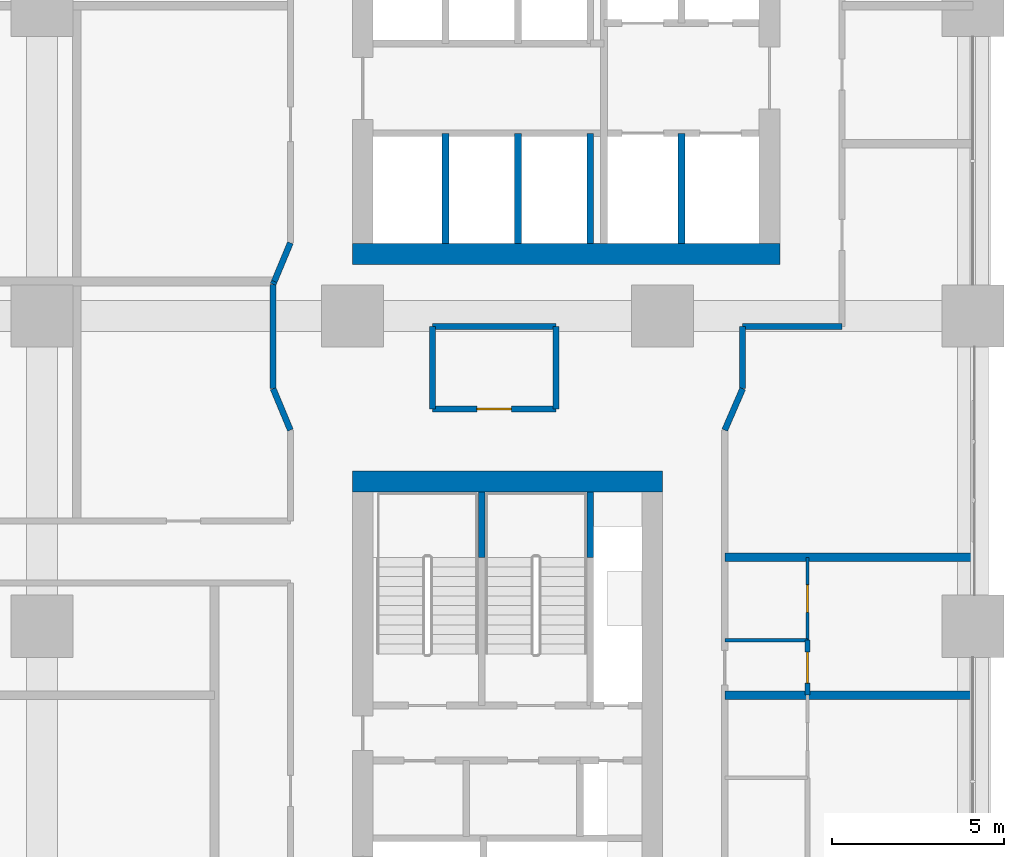
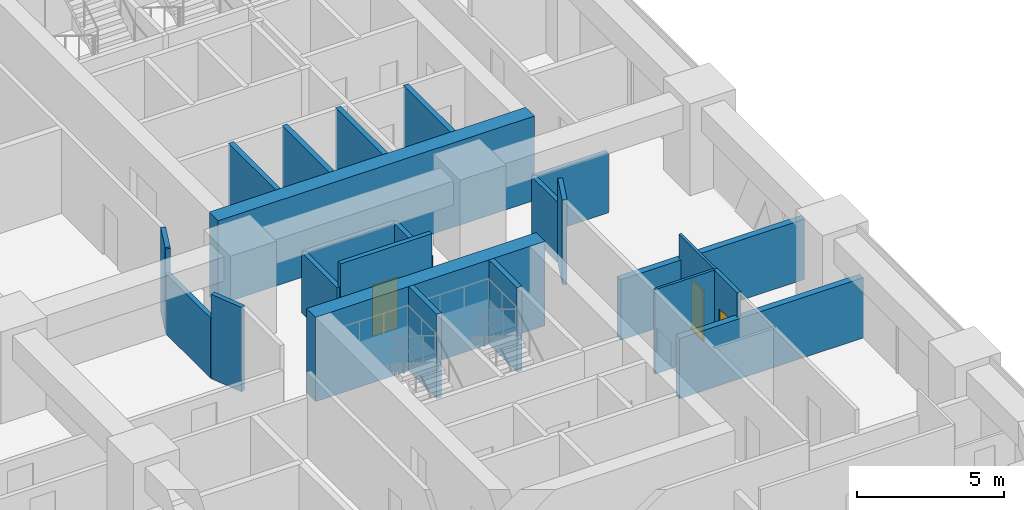
# One storey, part 16 of 23: 24 walls, 3 doors, 3 openings.
"""IFC4 building model written with IfcOpenShell, lengths in metres."""

from ifc_helpers import new_model, si_unit, direction, frame, frame_2d, origin, place, context, subcontext, project, spatial, rectangle, extrude, material, layer, layer_set, type_object, element, fill, save


model = new_model("IFC4")

# Units and contexts
model_context = context("Model", 3, precision=1e-05, world=origin(), true_north=direction((0.0, 1.0)))
body_context = subcontext(model_context, "Body", "Model", "MODEL_VIEW")
ifc_project = project(units=[si_unit("LENGTHUNIT", "METRE"), si_unit("AREAUNIT", "SQUARE_METRE"), si_unit("VOLUMEUNIT", "CUBIC_METRE"), si_unit("PLANEANGLEUNIT", "RADIAN"), si_unit("MASSUNIT", "GRAM", prefix="KILO")], contexts=[model_context])

# Site, building, storey
site_placement = place(None, origin())
site = spatial("IfcSite", under=ifc_project, at=site_placement, CompositionType="ELEMENT")
building_placement = place(site_placement, origin())
building = spatial("IfcBuilding", under=site, at=building_placement, Name="Tessera Arch", CompositionType="ELEMENT")
storey_placement = place(building_placement, frame((0.0, 0.0, 34.800048828125)))
storey = spatial("IfcBuildingStorey", under=building, at=storey_placement, Name="L06", CompositionType="ELEMENT", Elevation=34.800048828125)

# Walls
ifc_material_1 = material(Name="Concrete C70/85", Category="concrete")
ifc_layer_1 = layer(ifc_material_1, 0.60009765625)
ifc_layer_set_1 = layer_set([ifc_layer_1], Name="Core shell wall 600 C70-85")
wall_type_1 = type_object("IfcWallType", Name="Core shell wall 600 C70-85", PredefinedType="SHEAR", material=ifc_layer_set_1)
wall_1_placement = place(storey_placement, frame((36.0, 28.800048828125, 0.0), z_axis=(0.0, 0.0, 1.0), x_axis=(1.0, 0.0, 0.0)))
element("IfcWall", 1, at=wall_1_placement, inside=storey, type_object=wall_type_1, Name="L06 C1 core wall S", PredefinedType="SHEAR", context=body_context, shape_type="SweptSolid", body=[
    extrude(rectangle(XDim=12.39990234375, YDim=0.60009765625, at=frame_2d((6.199951171875, 0.0))), origin(), (0.0, 0.0, 1.0), 3.5),
])
wall_2_placement = place(storey_placement, frame((36.0, 22.199951171875, 0.0), z_axis=(0.0, 0.0, 1.0), x_axis=(1.0, 0.0, 0.0)))
element("IfcWall", 2, at=wall_2_placement, inside=storey, type_object=wall_type_1, Name="L06 C3 core wall N", PredefinedType="SHEAR", context=body_context, shape_type="SweptSolid", body=[
    extrude(rectangle(XDim=9.0, YDim=0.60009765625, at=frame_2d((4.5, 0.0))), origin(), (0.0, 0.0, 1.0), 3.5),
])

# Wall, opening, door
ifc_material_2 = material(Name="Gypsum board on deep steel stud with mineral wool", Category="steel")
ifc_layer_2 = layer(ifc_material_2, 0.175048828125)
ifc_layer_set_2 = layer_set([ifc_layer_2], Name="Corridor wall 175 EI 60")
wall_type_2 = type_object("IfcWallType", Name="Corridor wall 175 EI 60", PredefinedType="PARTITIONING", material=ifc_layer_set_2)
wall_3_placement = place(storey_placement, frame((38.320068359375, 24.300048828125, 0.0), z_axis=(0.0, 0.0, 1.0), x_axis=(1.0, 0.0, 0.0)))
wall_3 = element("IfcWall", 3, at=wall_3_placement, inside=storey, type_object=wall_type_2, Name="L06 partition 6", PredefinedType="PARTITIONING", context=body_context, shape_type="SweptSolid", body=[
    extrude(rectangle(XDim=3.579833984375, YDim=0.175048828125, at=frame_2d((1.7900390625, 0.0))), origin(), (0.0, 0.0, 1.0), 3.5),
])
opening_1_placement = place(wall_3_placement, frame((1.2900390625, 0.0, 0.0)))
opening_1 = element("IfcOpeningElement", 4, at=opening_1_placement, cuts=wall_3, Name="Opening L06-D028", PredefinedType="OPENING", context=body_context, shape_type="SweptSolid", body=[
    extrude(rectangle(XDim=1.0, YDim=2.10009765625, at=frame_2d((0.5, 1.050048828125))), frame((0.0, 0.097412109375, 0.0), z_axis=(0.0, -1.0, 0.0), x_axis=(1.0, 0.0, 0.0)), (0.0, 0.0, 1.0), 0.195068359375),
])
ifc_material_3 = material(Name="Fire-rated door leaf")
door_type_1 = type_object("IfcDoorType", Name="Entrance door FD30S 1000 x 2100", OperationType="SINGLE_SWING_LEFT", PredefinedType="DOOR", material=ifc_material_3)
door_1_placement = place(opening_1_placement, origin())
door_1 = element("IfcDoor", 5, at=door_1_placement, inside=storey, type_object=door_type_1, Name="L06 door D028 type D03", OperationType="SINGLE_SWING_LEFT", OverallHeight=2.10009765625, OverallWidth=1.0, PredefinedType="DOOR", context=body_context, shape_type="SweptSolid", body=[
    extrude(rectangle(XDim=1.0, YDim=2.10009765625, at=frame_2d((0.5, 1.050048828125))), frame((0.0, 0.02490234375, 0.0), z_axis=(0.0, -1.0, 0.0), x_axis=(1.0, 0.0, 0.0)), (0.0, 0.0, 1.0), 0.050048828125),
])
fill(opening_1, door_1)

# Walls
wall_4_placement = place(storey_placement, frame((38.320068359375, 26.699951171875, 0.0), z_axis=(0.0, 0.0, 1.0), x_axis=(1.0, 0.0, 0.0)))
element("IfcWall", 6, at=wall_4_placement, inside=storey, type_object=wall_type_2, Name="L06 partition 9", PredefinedType="PARTITIONING", context=body_context, shape_type="SweptSolid", body=[
    extrude(rectangle(XDim=3.579833984375, YDim=0.175048828125, at=frame_2d((1.7900390625, 0.0))), origin(), (0.0, 0.0, 1.0), 2.5),
])
wall_5_placement = place(storey_placement, frame((47.320068359375, 26.699951171875, 0.0), z_axis=(0.0, 0.0, 1.0), x_axis=(1.0, 0.0, 0.0)))
element("IfcWall", 7, at=wall_5_placement, inside=storey, type_object=wall_type_2, Name="L06 partition 10", PredefinedType="PARTITIONING", context=body_context, shape_type="SweptSolid", body=[
    extrude(rectangle(XDim=2.8798828125, YDim=0.175048828125, at=frame_2d((1.43994140625, 0.0))), origin(), (0.0, 0.0, 1.0), 2.5),
])
wall_6_placement = place(storey_placement, frame((33.699951171875, 24.889892578125, 0.0), z_axis=(0.0, 0.0, 1.0), x_axis=(0.0, 1.0, 0.0)))
element("IfcWall", 8, at=wall_6_placement, inside=storey, type_object=wall_type_2, Name="L06 partition 25", PredefinedType="PARTITIONING", context=body_context, shape_type="SweptSolid", body=[
    extrude(rectangle(XDim=3.030029296875, YDim=0.175048828125, at=frame_2d((1.51513671875, 0.0))), origin(), (0.0, 0.0, 1.0), 2.5),
])
for number, where, z_axis, x_axis, name in (
    (9, (38.320068359375, 24.300048828125, 0.0), (0.0, 0.0, 1.0), (0.0, 1.0, 0.0), "L06 partition 30"),
    (10, (41.89990234375, 24.300048828125, 0.0), (0.0, 0.0, 1.0), (0.0, 1.0, 0.0), "L06 partition 31"),
):
    element("IfcWall", number, at=place(storey_placement, frame(where, z_axis=z_axis, x_axis=x_axis)), inside=storey, type_object=wall_type_2, Name=name, PredefinedType="PARTITIONING", context=body_context, shape_type="SweptSolid", body=[
        extrude(rectangle(XDim=2.39990234375, YDim=0.175048828125, at=frame_2d((1.199951171875, 0.0))), origin(), (0.0, 0.0, 1.0), 2.5),
    ])
wall_7_placement = place(storey_placement, frame((47.320068359375, 24.889892578125, 0.0), z_axis=(0.0, 0.0, 1.0), x_axis=(0.0, 1.0, 0.0)))
element("IfcWall", 11, at=wall_7_placement, inside=storey, type_object=wall_type_2, Name="L06 partition 33", PredefinedType="PARTITIONING", context=body_context, shape_type="SweptSolid", body=[
    extrude(rectangle(XDim=1.81005859375, YDim=0.175048828125, at=frame_2d((0.905029296875, 0.0))), origin(), (0.0, 0.0, 1.0), 2.5),
])
wall_8_placement = place(storey_placement, frame((34.199951171875, 23.68994140625, 0.0), z_axis=(0.0, 0.0, 1.0), x_axis=(-0.384628719983, 0.923071366561, 0.0)))
element("IfcWall", 12, at=wall_8_placement, inside=storey, type_object=wall_type_2, Name="L06 partition 84", PredefinedType="PARTITIONING", context=body_context, shape_type="SweptSolid", body=[
    extrude(rectangle(XDim=1.300048828125, YDim=0.175048828125, at=frame_2d((0.64990234375, 0.0))), origin(), (0.0, 0.0, 1.0), 3.5),
])
wall_9_placement = place(storey_placement, frame((33.699951171875, 27.919921875, 0.0), z_axis=(0.0, 0.0, 1.0), x_axis=(0.38559300399, 0.922668973833, 0.0)))
element("IfcWall", 13, at=wall_9_placement, inside=storey, type_object=wall_type_2, Name="L06 partition 85", PredefinedType="PARTITIONING", context=body_context, shape_type="SweptSolid", body=[
    extrude(rectangle(XDim=0.088623046875, YDim=0.175048828125, at=frame_2d((0.04443359375, 0.0))), origin(), (0.0, 0.0, 1.0), 3.5),
])
wall_10_placement = place(storey_placement, frame((47.320068359375, 24.889892578125, 0.0), z_axis=(0.0, 0.0, 1.0), x_axis=(-0.397633632391, -0.917544273804, 0.0)))
element("IfcWall", 14, at=wall_10_placement, inside=storey, type_object=wall_type_2, Name="L06 partition 87", PredefinedType="PARTITIONING", context=body_context, shape_type="SweptSolid", body=[
    extrude(rectangle(XDim=1.307861328125, YDim=0.175048828125, at=frame_2d((0.65380859375, 0.0))), origin(), (0.0, 0.0, 1.0), 3.5),
])
wall_11_placement = place(storey_placement, frame((33.732421875, 27.998046875, 0.0), z_axis=(0.0, 0.0, 1.0), x_axis=(0.384615384615, 0.923076923077, 0.0)))
element("IfcWall", 15, at=wall_11_placement, inside=storey, type_object=wall_type_2, Name="L06 partition 89", PredefinedType="PARTITIONING", context=body_context, shape_type="SweptSolid", body=[
    extrude(rectangle(XDim=1.215576171875, YDim=0.175048828125, at=frame_2d((0.60791015625, 0.0))), origin(), (0.0, 0.0, 1.0), 3.5),
])

# Wall, opening, door
ifc_material_4 = material(Name="Gypsum board on steel stud", Category="steel")
ifc_layer_3 = layer(ifc_material_4, 0.14990234375)
ifc_layer_set_3 = layer_set([ifc_layer_3], Name="Partition 150")
wall_type_3 = type_object("IfcWallType", Name="Partition 150", PredefinedType="PARTITIONING", material=ifc_layer_set_3)
wall_12_placement = place(storey_placement, frame((49.199951171875, 16.0, 0.0), z_axis=(0.0, 0.0, 1.0), x_axis=(0.0, 1.0, 0.0)))
wall_12 = element("IfcWall", 16, at=wall_12_placement, inside=storey, type_object=wall_type_3, Name="L06 partition 41", PredefinedType="PARTITIONING", context=body_context, shape_type="SweptSolid", body=[
    extrude(rectangle(XDim=1.60009765625, YDim=0.14990234375, at=frame_2d((0.800048828125, 0.0))), origin(), (0.0, 0.0, 1.0), 3.5),
])
opening_2_placement = place(wall_12_placement, frame((0.35009765625, 0.0, 0.0)))
opening_2 = element("IfcOpeningElement", 17, at=opening_2_placement, cuts=wall_12, Name="Opening L06-D021", PredefinedType="OPENING", context=body_context, shape_type="SweptSolid", body=[
    extrude(rectangle(XDim=0.89990234375, YDim=2.10009765625, at=frame_2d((0.449951171875, 1.050048828125))), frame((0.0, 0.0849609375, 0.0), z_axis=(0.0, -1.0, 0.0), x_axis=(1.0, 0.0, 0.0)), (0.0, 0.0, 1.0), 0.169921875),
])
ifc_material_5 = material(Name="Timber door leaf", Category="wood")
door_type_2 = type_object("IfcDoorType", Name="Room door 900 x 2100", OperationType="SINGLE_SWING_LEFT", PredefinedType="DOOR", material=ifc_material_5)
door_2_placement = place(opening_2_placement, origin())
door_2 = element("IfcDoor", 18, at=door_2_placement, inside=storey, type_object=door_type_2, Name="L06 door D021 type D01", OperationType="SINGLE_SWING_LEFT", OverallHeight=2.10009765625, OverallWidth=0.89990234375, PredefinedType="DOOR", context=body_context, shape_type="SweptSolid", body=[
    extrude(rectangle(XDim=0.89990234375, YDim=2.10009765625, at=frame_2d((0.449951171875, 1.050048828125))), frame((0.0, 0.02490234375, 0.0), z_axis=(0.0, -1.0, 0.0), x_axis=(1.0, 0.0, 0.0)), (0.0, 0.0, 1.0), 0.050048828125),
])
fill(opening_2, door_2)

# Walls
ifc_material_6 = material(Name="Double gypsum board on twin steel stud with acoustic mineral wool", Category="steel")
ifc_layer_4 = layer(ifc_material_6, 0.25)
ifc_layer_set_4 = layer_set([ifc_layer_4], Name="Party wall 250 EI 60")
wall_type_4 = type_object("IfcWallType", Name="Party wall 250 EI 60", PredefinedType="PARTITIONING", material=ifc_layer_set_4)
for number, where, z_axis, x_axis, name in (
    (19, (46.800048828125, 16.0, 0.0), (0.0, 0.0, 1.0), (1.0, 0.0, 0.0), "L06 partition 47"),
    (20, (46.800048828125, 20.0, 0.0), (0.0, 0.0, 1.0), (1.0, 0.0, 0.0), "L06 partition 49"),
):
    element("IfcWall", number, at=place(storey_placement, frame(where, z_axis=z_axis, x_axis=x_axis)), inside=storey, type_object=wall_type_4, Name=name, PredefinedType="PARTITIONING", context=body_context, shape_type="SweptSolid", body=[
        extrude(rectangle(XDim=7.199951171875, YDim=0.25, at=frame_2d((3.60009765625, 0.0))), origin(), (0.0, 0.0, 1.0), 2.5),
    ])
ifc_material_7 = material(Name="Concrete C40/50", Category="concrete")
ifc_layer_5 = layer(ifc_material_7, 0.199951171875)
ifc_layer_set_5 = layer_set([ifc_layer_5], Name="Shaft wall 200 EI 120")
wall_type_5 = type_object("IfcWallType", Name="Shaft wall 200 EI 120", PredefinedType="SOLIDWALL", material=ifc_layer_set_5)
for number, where, z_axis, x_axis, name in (
    (21, (38.699951171875, 29.10009765625, 0.0), (0.0, 0.0, 1.0), (0.0, 1.0, 0.0), "L06 C1 shaft wall 1"),
    (22, (40.800048828125, 29.10009765625, 0.0), (0.0, 0.0, 1.0), (0.0, 1.0, 0.0), "L06 C1 shaft wall 6"),
    (23, (42.89990234375, 29.10009765625, 0.0), (0.0, 0.0, 1.0), (0.0, 1.0, 0.0), "L06 C1 shaft wall 8"),
    (24, (45.550048828125, 29.10009765625, 0.0), (0.0, 0.0, 1.0), (0.0, 1.0, 0.0), "L06 C1 shaft wall 13"),
):
    element("IfcWall", number, at=place(storey_placement, frame(where, z_axis=z_axis, x_axis=x_axis)), inside=storey, type_object=wall_type_5, Name=name, PredefinedType="SOLIDWALL", context=body_context, shape_type="SweptSolid", body=[
        extrude(rectangle(XDim=3.199951171875, YDim=0.199951171875, at=frame_2d((1.60009765625, 0.0))), origin(), (0.0, 0.0, 1.0), 3.5),
    ])
ifc_material_8 = material(Name="Concrete C40/50", Category="concrete")
ifc_layer_6 = layer(ifc_material_8, 0.199951171875)
ifc_layer_set_6 = layer_set([ifc_layer_6], Name="Stair well wall 200 REI 180")
wall_type_6 = type_object("IfcWallType", Name="Stair well wall 200 REI 180", PredefinedType="SOLIDWALL", material=ifc_layer_set_6)
for number, where, z_axis, x_axis, name in (
    (25, (39.75, 20.0, 0.0), (0.0, 0.0, 1.0), (0.0, 1.0, 0.0), "L06 C3 shaft wall 3"),
    (26, (42.89990234375, 20.0, 0.0), (0.0, 0.0, 1.0), (0.0, 1.0, 0.0), "L06 C3 shaft wall 7"),
):
    element("IfcWall", number, at=place(storey_placement, frame(where, z_axis=z_axis, x_axis=x_axis)), inside=storey, type_object=wall_type_6, Name=name, PredefinedType="SOLIDWALL", context=body_context, shape_type="SweptSolid", body=[
        extrude(rectangle(XDim=1.89990234375, YDim=0.199951171875, at=frame_2d((0.949951171875, 0.0))), origin(), (0.0, 0.0, 1.0), 3.5),
    ])
ifc_material_9 = material(Name="Moisture-resistant board on pre-plumbed steel stud", Category="steel")
ifc_layer_7 = layer(ifc_material_9, 0.10009765625)
ifc_layer_set_7 = layer_set([ifc_layer_7], Name="Wet wall 100")
wall_type_7 = type_object("IfcWallType", Name="Wet wall 100", PredefinedType="PARTITIONING", material=ifc_layer_set_7)
wall_13_placement = place(storey_placement, frame((46.800048828125, 17.60009765625, 0.0), z_axis=(0.0, 0.0, 1.0), x_axis=(1.0, 0.0, 0.0)))
element("IfcWall", 27, at=wall_13_placement, inside=storey, type_object=wall_type_7, Name="L06 partition 72", PredefinedType="PARTITIONING", context=body_context, shape_type="SweptSolid", body=[
    extrude(rectangle(XDim=2.39990234375, YDim=0.10009765625, at=frame_2d((1.199951171875, 0.0))), origin(), (0.0, 0.0, 1.0), 3.5),
])

# Wall, opening, door
wall_14_placement = place(storey_placement, frame((49.199951171875, 17.60009765625, 0.0), z_axis=(0.0, 0.0, 1.0), x_axis=(0.0, 1.0, 0.0)))
wall_14 = element("IfcWall", 28, at=wall_14_placement, inside=storey, type_object=wall_type_7, Name="L06 partition 80", PredefinedType="PARTITIONING", context=body_context, shape_type="SweptSolid", body=[
    extrude(rectangle(XDim=2.39990234375, YDim=0.10009765625, at=frame_2d((1.199951171875, 0.0))), origin(), (0.0, 0.0, 1.0), 3.5),
])
opening_3_placement = place(wall_14_placement, frame((0.800048828125, 0.0, 0.0)))
opening_3 = element("IfcOpeningElement", 29, at=opening_3_placement, cuts=wall_14, Name="Opening L06-D022", PredefinedType="OPENING", context=body_context, shape_type="SweptSolid", body=[
    extrude(rectangle(XDim=0.800048828125, YDim=2.10009765625, at=frame_2d((0.39990234375, 1.050048828125))), frame((0.0, 0.06005859375, 0.0), z_axis=(0.0, -1.0, 0.0), x_axis=(1.0, 0.0, 0.0)), (0.0, 0.0, 1.0), 0.1201171875),
])
ifc_material_10 = material(Name="Timber door leaf", Category="wood")
door_type_3 = type_object("IfcDoorType", Name="En-suite door 800 x 2100", OperationType="SINGLE_SWING_LEFT", PredefinedType="DOOR", material=ifc_material_10)
door_3_placement = place(opening_3_placement, origin())
door_3 = element("IfcDoor", 30, at=door_3_placement, inside=storey, type_object=door_type_3, Name="L06 door D022 type D02", OperationType="SINGLE_SWING_RIGHT", OverallHeight=2.10009765625, OverallWidth=0.800048828125, PredefinedType="DOOR", context=body_context, shape_type="SweptSolid", body=[
    extrude(rectangle(XDim=0.800048828125, YDim=2.10009765625, at=frame_2d((0.39990234375, 1.050048828125))), frame((0.0, 0.02490234375, 0.0), z_axis=(0.0, -1.0, 0.0), x_axis=(1.0, 0.0, 0.0)), (0.0, 0.0, 1.0), 0.050048828125),
])
fill(opening_3, door_3)

save(model, "model.ifc")
